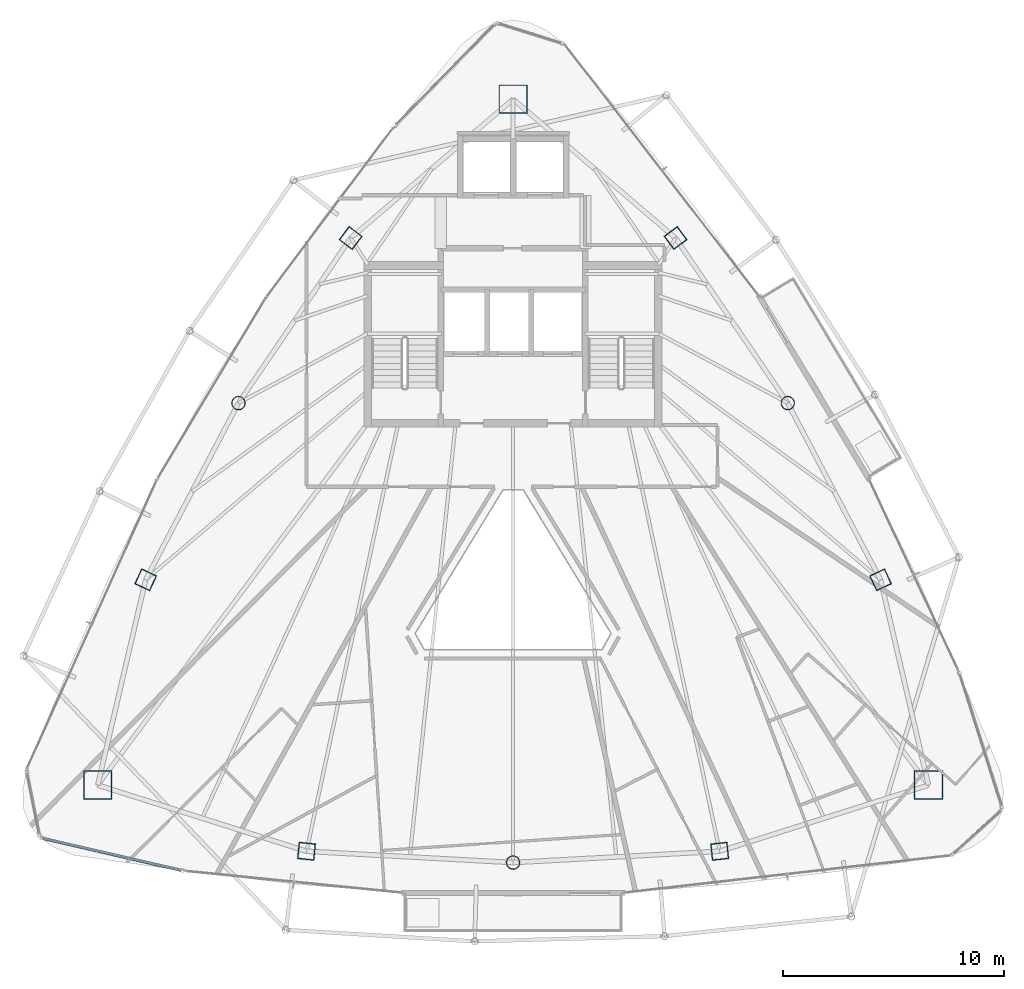
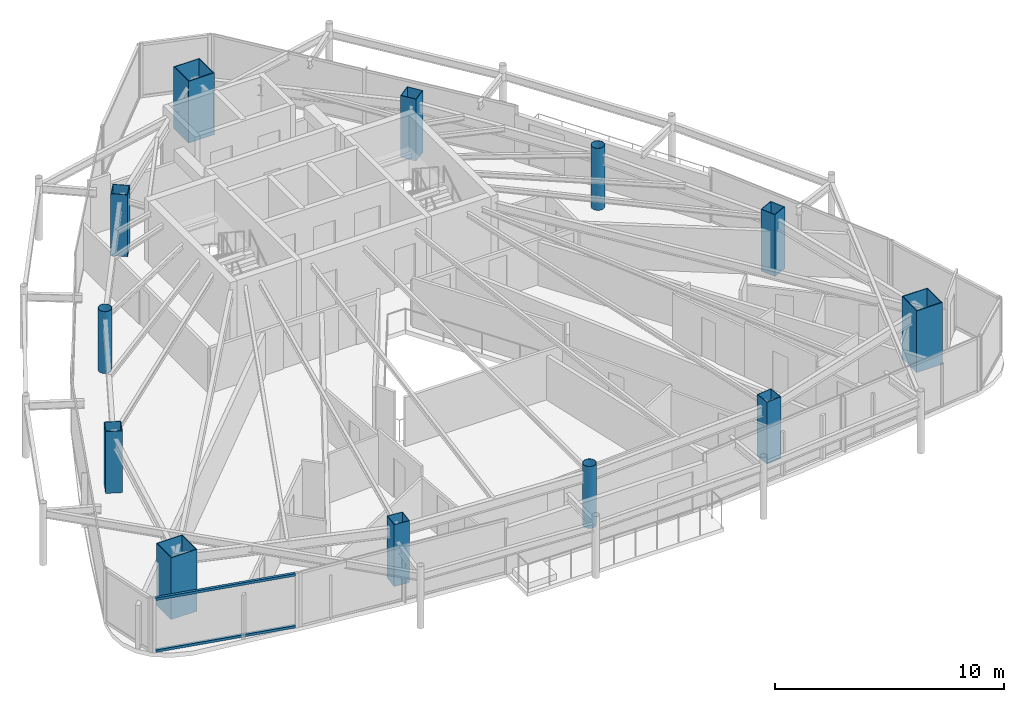
# One storey, part 1 of 29: 12 columns, 2 members, 1 element without a shape of its own.
"""IFC4 building model written with IfcOpenShell, lengths in metres."""

from ifc_helpers import new_model, si_unit, direction, frame, origin, origin_2d, place, context, subcontext, project, spatial, hollow_rectangle, hollow_circle, extrude, material, layer, layer_set, material_profile, profile_set, type_object, element, aggregate, save


model = new_model("IFC4")

# Units and contexts
model_context = context("Model", 3, precision=1e-05, world=origin(), true_north=direction((0.0, 1.0)))
body_context = subcontext(model_context, "Body", "Model", "MODEL_VIEW")
ifc_project = project(units=[si_unit("LENGTHUNIT", "METRE"), si_unit("AREAUNIT", "SQUARE_METRE"), si_unit("VOLUMEUNIT", "CUBIC_METRE"), si_unit("PLANEANGLEUNIT", "RADIAN"), si_unit("MASSUNIT", "GRAM", prefix="KILO")], contexts=[model_context])

# Site, building, storey
site_placement = place(None, origin())
site = spatial("IfcSite", under=ifc_project, at=site_placement, CompositionType="ELEMENT")
building_placement = place(site_placement, origin())
building = spatial("IfcBuilding", under=site, at=building_placement, Name="Orvanel Arch Residences", CompositionType="ELEMENT")
storey_placement = place(building_placement, frame((0.0, 0.0, 253.550048828125)))
storey = spatial("IfcBuildingStorey", under=building, at=storey_placement, Name="L72", CompositionType="ELEMENT", Elevation=253.550048828125)

# Columns
ifc_material_1 = material(Name="Structural steel AS/NZS 1163 C350L0 (Grade 350)", Category="steel")
ifc_material_profile_1 = material_profile(ifc_material_1, hollow_circle(Radius=0.304931640625, WallThickness=0.01611328125, at=origin_2d()), Name="CHS610x16")
ifc_profile_set_1 = profile_set([ifc_material_profile_1], Name="Structural steel AS/NZS 1163 C350L0 (Grade 350)")
column_type_1 = type_object("IfcColumnType", Name="CC-610", PredefinedType="COLUMN", material=ifc_profile_set_1)
for number, where, z_axis, x_axis, name in (
    (1, (20.569091796875, 27.64111328125, 0.0), (0.0, 0.0, 1.0), (1.0, 0.0, 0.0), "L72 High-Rise Tube Column 02"),
    (2, (33.0, 6.843994140625, 0.0), (0.0, 0.0, 1.0), (1.0, 0.0, 0.0), "L72 High-Rise Tube Column 05"),
    (3, (45.430908203125, 27.64111328125, 0.0), (0.0, 0.0, 1.0), (1.0, 0.0, 0.0), "L72 High-Rise Tube Column 08"),
):
    element("IfcColumn", number, at=place(storey_placement, frame(where, z_axis=z_axis, x_axis=x_axis)), inside=storey, type_object=column_type_1, Name=name, PredefinedType="COLUMN", context=body_context, shape_type="SweptSolid", body=[
        extrude(hollow_circle(Radius=0.304931640625, WallThickness=0.01611328125, at=origin_2d()), origin(), (0.0, 0.0, 1.0), 3.300048828125),
    ])
ifc_material_2 = material(Name="Structural steel AS/NZS 3678 Grade 450", Category="steel")
ifc_material_profile_2 = material_profile(ifc_material_2, hollow_rectangle(XDim=1.300048828125, YDim=1.300048828125, WallThickness=0.0400390625, at=origin_2d()), Name="BOX1300x1300x40")
ifc_profile_set_2 = profile_set([ifc_material_profile_2], Name="Structural steel AS/NZS 3678 Grade 450")
column_type_2 = type_object("IfcColumnType", Name="MC-1300", PredefinedType="COLUMN", material=ifc_profile_set_2)
for number, where, z_axis, x_axis, name in (
    (4, (33.0, 41.39794921875, 0.0), (0.0, 0.0, 1.0), (1.0, 0.0, 0.0), "L72 Corner Mega-Column 1"),
    (5, (14.198974609375, 10.35107421875, 0.0), (0.0, 0.0, 1.0), (1.0, 0.0, 0.0), "L72 Corner Mega-Column 2"),
    (6, (51.801025390625, 10.35107421875, 0.0), (0.0, 0.0, 1.0), (1.0, 0.0, 0.0), "L72 Corner Mega-Column 3"),
):
    element("IfcColumn", number, at=place(storey_placement, frame(where, z_axis=z_axis, x_axis=x_axis)), inside=storey, type_object=column_type_2, Name=name, PredefinedType="COLUMN", context=body_context, shape_type="SweptSolid", body=[
        extrude(hollow_rectangle(XDim=1.300048828125, YDim=1.300048828125, WallThickness=0.0400390625, at=origin_2d()), origin(), (0.0, 0.0, 1.0), 3.300048828125),
    ])
ifc_material_3 = material(Name="Structural steel AS/NZS 3678 Grade 350", Category="steel")
ifc_material_profile_3 = material_profile(ifc_material_3, hollow_rectangle(XDim=0.75, YDim=0.75, WallThickness=0.02490234375, at=origin_2d()), Name="BOX750x750x25")
ifc_profile_set_3 = profile_set([ifc_material_profile_3], Name="Structural steel AS/NZS 3678 Grade 350")
column_type_3 = type_object("IfcColumnType", Name="TC-750", PredefinedType="COLUMN", material=ifc_profile_set_3)
for number, where, z_axis, x_axis, name in (
    (7, (25.64794921875, 35.113037109375, 0.0), (0.0, 0.0, 1.0), (0.600420225326, 0.799684658487, 0.0), "L72 High-Rise Tube Column 01"),
    (8, (16.366943359375, 19.64208984375, 0.0), (0.0, 0.0, 1.0), (0.422618261741, 0.906307787037, 0.0), "L72 High-Rise Tube Column 03"),
    (9, (23.64892578125, 7.35498046875, 0.0), (0.0, 0.0, 1.0), (-0.994880708829, 0.101056297183, 0.0), "L72 High-Rise Tube Column 04"),
    (10, (42.35107421875, 7.35498046875, 0.0), (0.0, 0.0, 1.0), (0.994880708829, 0.101056297183, 0.0), "L72 High-Rise Tube Column 06"),
    (11, (49.633056640625, 19.64208984375, 0.0), (0.0, 0.0, 1.0), (-0.422618261741, 0.906307787037, 0.0), "L72 High-Rise Tube Column 07"),
    (12, (40.35205078125, 35.113037109375, 0.0), (0.0, 0.0, 1.0), (-0.600420225326, 0.799684658487, 0.0), "L72 High-Rise Tube Column 09"),
):
    element("IfcColumn", number, at=place(storey_placement, frame(where, z_axis=z_axis, x_axis=x_axis)), inside=storey, type_object=column_type_3, Name=name, PredefinedType="COLUMN", context=body_context, shape_type="SweptSolid", body=[
        extrude(hollow_rectangle(XDim=0.75, YDim=0.75, WallThickness=0.02490234375, at=origin_2d()), origin(), (0.0, 0.0, 1.0), 3.300048828125),
    ])

# Curtain wall, members
ifc_material_4 = material(Name="Bronze-anodised aluminium AA6063-T6", Category="aluminium")
ifc_layer = layer(ifc_material_4, 0.18994140625)
ifc_layer_set = layer_set([ifc_layer], Name="Bronze-anodised aluminium AA6063-T6")
curtain_wall_type = type_object("IfcCurtainWallType", Name="CW5-CRN-SYS", PredefinedType="NOTDEFINED", material=ifc_layer_set)
curtain_wall_placement = place(storey_placement, origin())
curtain_wall = element("IfcCurtainWall", 13, at=curtain_wall_placement, inside=storey, type_object=curtain_wall_type, Name="L72 CW5-CRN-SYS Unitised Curtain Wall", PredefinedType="NOTDEFINED")
ifc_material_profile_4 = material_profile(ifc_material_4, hollow_rectangle(XDim=0.1298828125, YDim=0.1298828125, WallThickness=0.00439453125, at=origin_2d()), Name="ALU130x130x4.5")
ifc_profile_set_4 = profile_set([ifc_material_profile_4], Name="Bronze-anodised aluminium AA6063-T6")
member_type = type_object("IfcMemberType", Name="TRN-130x130", PredefinedType="USERDEFINED", material=ifc_profile_set_4)
member_1_placement = place(storey_placement, frame((11.740234375, 7.935302734375, 0.06494140625), z_axis=(0.974386677331, -0.224879085378, 0.0), x_axis=(0.224879085378, 0.974386677331, 0.0)))
member_1 = element("IfcMember", 14, at=member_1_placement, type_object=member_type, Name="CW-S5 transom 1.1", ObjectType="TRANSOM", PredefinedType="USERDEFINED", context=body_context, shape_type="SweptSolid", body=[
    extrude(hollow_rectangle(XDim=0.1298828125, YDim=0.1298828125, WallThickness=0.00439453125, at=origin_2d()), origin(), (0.0, 0.0, 1.0), 6.375),
])
member_2_placement = place(storey_placement, frame((11.740234375, 7.935302734375, 2.8349609375), z_axis=(0.974386677331, -0.224879085378, 0.0), x_axis=(0.224879085378, 0.974386677331, 0.0)))
member_2 = element("IfcMember", 15, at=member_2_placement, type_object=member_type, Name="CW-S5 transom 1.2", ObjectType="TRANSOM", PredefinedType="USERDEFINED", context=body_context, shape_type="SweptSolid", body=[
    extrude(hollow_rectangle(XDim=0.1298828125, YDim=0.1298828125, WallThickness=0.00439453125, at=origin_2d()), origin(), (0.0, 0.0, 1.0), 6.375),
])
aggregate(curtain_wall, [member_1, member_2])

save(model, "model.ifc")
